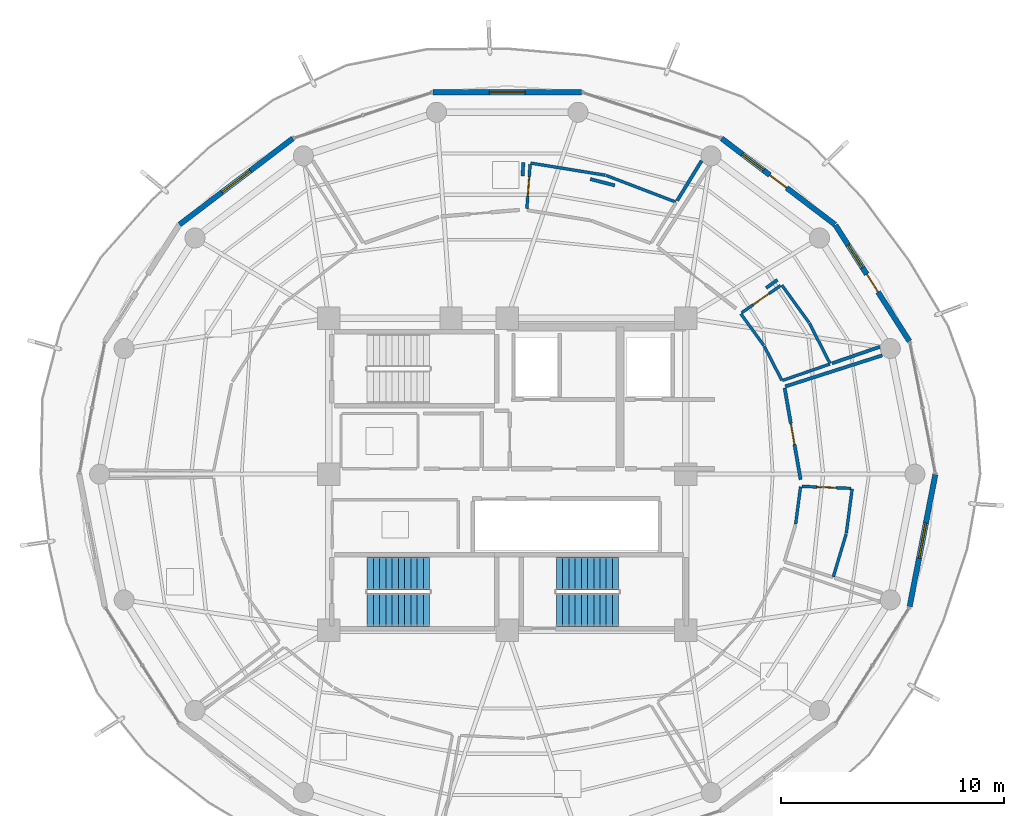
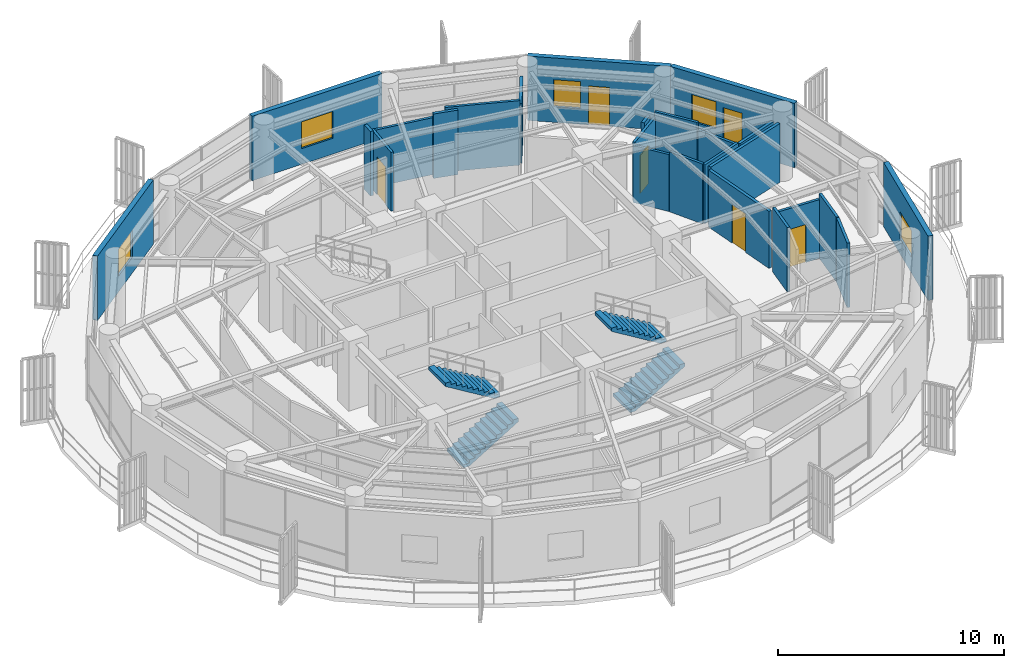
# One storey, part 17 of 22: 25 walls, 6 doors, 5 windows, 4 stair flights, 11 openings, 2 elements without a shape of their own.
"""IFC4 building model written with IfcOpenShell, lengths in metres."""

from ifc_helpers import new_model, si_unit, direction, frame, frame_2d, origin, place, context, subcontext, project, spatial, polyline, rectangle, outline, extrude, material, layer, layer_set, type_object, element, fill, aggregate, save


model = new_model("IFC4")

# Units and contexts
model_context = context("Model", 3, precision=1e-05, world=origin(), true_north=direction((0.0, 1.0)))
body_context = subcontext(model_context, "Body", "Model", "MODEL_VIEW")
ifc_project = project(units=[si_unit("LENGTHUNIT", "METRE"), si_unit("AREAUNIT", "SQUARE_METRE"), si_unit("VOLUMEUNIT", "CUBIC_METRE"), si_unit("PLANEANGLEUNIT", "RADIAN"), si_unit("MASSUNIT", "GRAM", prefix="KILO")], contexts=[model_context])

# Site, building, storey
site_placement = place(None, origin())
site = spatial("IfcSite", under=ifc_project, at=site_placement, CompositionType="ELEMENT")
building_placement = place(site_placement, origin())
building = spatial("IfcBuilding", under=site, at=building_placement, Name="Kelanora Arch Commons", CompositionType="ELEMENT")
storey_placement = place(building_placement, frame((0.0, 0.0, 263.699951171875)))
storey = spatial("IfcBuildingStorey", under=building, at=storey_placement, Name="L67", CompositionType="ELEMENT", Elevation=263.699951171875)

# Wall, opening, door
ifc_material_1 = material(Name="Autoclaved aerated concrete blockwork with fire plaster", Category="masonry")
ifc_layer_1 = layer(ifc_material_1, 0.14990234375)
ifc_layer_set_1 = layer_set([ifc_layer_1], Name="Autoclaved aerated concrete blockwork with fire plaster")
wall_type_1 = type_object("IfcWallType", Name="W-COMP-150", PredefinedType="PARTITIONING", material=ifc_layer_set_1)
wall_1_placement = place(storey_placement, frame((87.15576171875, 57.755126953125, 0.0), z_axis=(0.0, 0.0, 1.0), x_axis=(-0.171570913007, 0.985171772743, 0.0)))
wall_1 = element("IfcWall", 1, at=wall_1_placement, inside=storey, type_object=wall_type_1, Name="Co-Living Studio L67-08 Entry Partition", PredefinedType="PARTITIONING", context=body_context, shape_type="SweptSolid", body=[
    extrude(rectangle(XDim=4.170654296875, YDim=0.14990234375, at=frame_2d((2.08544921875, 0.0))), origin(), (0.0, 0.0, 1.0), 3.074951171875),
])
opening_1_placement = place(wall_1_placement, frame((1.610107421875, 0.0, 0.0)))
opening_1 = element("IfcOpeningElement", 2, at=opening_1_placement, cuts=wall_1, Name="Opening D-CLU1", PredefinedType="OPENING", context=body_context, shape_type="SweptSolid", body=[
    extrude(rectangle(XDim=0.949951171875, YDim=2.080078125, at=frame_2d((0.47509765625, 1.0400390625))), frame((0.0, 0.0849609375, 0.0), z_axis=(0.0, -1.0, 0.0), x_axis=(1.0, 0.0, 0.0)), (0.0, 0.0, 1.0), 0.169921875),
])
ifc_material_2 = material(Name="Solid-core acoustic timber cluster entry fire door", Category="wood")
door_type_1 = type_object("IfcDoorType", Name="D-CLU-95", OperationType="NOTDEFINED", PredefinedType="DOOR", material=ifc_material_2)
door_1_placement = place(opening_1_placement, origin())
door_1 = element("IfcDoor", 3, at=door_1_placement, inside=storey, type_object=door_type_1, Name="Co-Living Studio L67-08 Door", OperationType="SINGLE_SWING_LEFT", OverallHeight=2.080078125, OverallWidth=0.949951171875, PredefinedType="DOOR", context=body_context, shape_type="SweptSolid", body=[
    extrude(rectangle(XDim=0.949951171875, YDim=2.080078125, at=frame_2d((0.47509765625, 1.0400390625))), frame((0.0, 0.02490234375, 0.0), z_axis=(0.0, -1.0, 0.0), x_axis=(1.0, 0.0, 0.0)), (0.0, 0.0, 1.0), 0.050048828125),
])
fill(opening_1, door_1)

# Walls
wall_2_placement = place(storey_placement, frame((90.708984375, 63.71337890625, 0.0), z_axis=(0.0, 0.0, 1.0), x_axis=(-0.945132905081, -0.326686075207, 0.0)))
element("IfcWall", 4, at=wall_2_placement, inside=storey, type_object=wall_type_1, Name="Co-Living Studio L67-01 Enclosure Partition 5", PredefinedType="PARTITIONING", context=body_context, shape_type="SweptSolid", body=[
    extrude(rectangle(XDim=2.27197265625, YDim=0.14990234375, at=frame_2d((1.135986328125, 0.0))), origin(), (0.0, 0.0, 1.0), 3.074951171875),
])
wall_3_placement = place(storey_placement, frame((86.11279296875, 66.71435546875, 0.0), z_axis=(0.0, 0.0, 1.0), x_axis=(-0.808362057855, -0.588685640577, 0.0)))
element("IfcWall", 5, at=wall_3_placement, inside=storey, type_object=wall_type_1, Name="Co-Living Studio L67-01 Enclosure Partition 7", PredefinedType="PARTITIONING", context=body_context, shape_type="SweptSolid", body=[
    extrude(rectangle(XDim=0.621337890625, YDim=0.14990234375, at=frame_2d((0.310546875, 0.0))), origin(), (0.0, 0.0, 1.0), 3.175048828125),
])
wall_4_placement = place(storey_placement, frame((82.717041015625, 72.055908203125, 0.0), z_axis=(0.0, 0.0, 1.0), x_axis=(-0.52296822896, -0.852352175746, 0.0)))
element("IfcWall", 6, at=wall_4_placement, inside=storey, type_object=wall_type_1, Name="Co-Living Studio L67-02 Enclosure Partition 6", PredefinedType="PARTITIONING", context=body_context, shape_type="SweptSolid", body=[
    extrude(rectangle(XDim=2.099853515625, YDim=0.14990234375, at=frame_2d((1.0498046875, 0.0))), origin(), (0.0, 0.0, 1.0), 3.235107421875),
])
wall_5_placement = place(storey_placement, frame((78.8212890625, 70.950439453125, 0.0), z_axis=(0.0, 0.0, 1.0), x_axis=(-0.968144207413, 0.25039327797, 0.0)))
element("IfcWall", 7, at=wall_5_placement, inside=storey, type_object=wall_type_1, Name="Co-Living Studio L67-02 Enclosure Partition 7", PredefinedType="PARTITIONING", context=body_context, shape_type="SweptSolid", body=[
    extrude(rectangle(XDim=1.132080078125, YDim=0.14990234375, at=frame_2d((0.56591796875, 0.0))), origin(), (0.0, 0.0, 1.0), 3.47998046875),
])
wall_6_placement = place(storey_placement, frame((74.719970703125, 71.97119140625, 0.0), z_axis=(0.0, 0.0, 1.0), x_axis=(-0.050287101119, -0.998734803369, 0.0)))
element("IfcWall", 8, at=wall_6_placement, inside=storey, type_object=wall_type_1, Name="Co-Living Studio L67-02 Enclosure Partition 8", PredefinedType="PARTITIONING", context=body_context, shape_type="SweptSolid", body=[
    extrude(rectangle(XDim=0.59228515625, YDim=0.14990234375, at=frame_2d((0.296142578125, 0.0))), origin(), (0.0, 0.0, 1.0), 3.47998046875),
])
wall_7_placement = place(storey_placement, frame((86.468017578125, 61.935302734375, 0.0), z_axis=(0.0, 0.0, 1.0), x_axis=(0.95227750557, 0.305233602976, 0.0)))
element("IfcWall", 9, at=wall_7_placement, inside=storey, type_object=wall_type_1, Name="Co-Living Studio L67-08 Enclosure Partition 2", PredefinedType="PARTITIONING", context=body_context, shape_type="SweptSolid", body=[
    extrude(rectangle(XDim=4.5654296875, YDim=0.14990234375, at=frame_2d((2.28271484375, 0.0))), origin(), (0.0, 0.0, 1.0), 3.175048828125),
])

# Wall, openings, door, window
ifc_material_3 = material(Name="Precast concrete C40/50 upper-zone terracotta rainscreen", Category="masonry")
ifc_layer_2 = layer(ifc_material_3, 0.239990234375)
ifc_layer_set_2 = layer_set([ifc_layer_2], Name="Precast concrete C40/50 upper-zone terracotta rainscreen")
wall_type_2 = type_object("IfcWallType", Name="W-EXT-TC2", PredefinedType="SOLIDWALL", material=ifc_layer_set_2)
wall_8_placement = place(storey_placement, frame((92.033935546875, 63.9638671875, 0.0), z_axis=(0.0, 0.0, 1.0), x_axis=(-0.537271968456, 0.843409053728, 0.0)))
wall_8 = element("IfcWall", 10, at=wall_8_placement, inside=storey, type_object=wall_type_2, Name="Terracotta Exterior Wall L67-B01", PredefinedType="SOLIDWALL", context=body_context, shape_type="SweptSolid", body=[
    extrude(rectangle(XDim=6.175048828125, YDim=0.239990234375, at=frame_2d((3.08740234375, 0.0))), origin(), (0.0, 0.0, 1.0), 3.47509765625),
])
opening_2_placement = place(wall_8_placement, frame((2.613037109375, 0.0, 0.0)))
opening_2 = element("IfcOpeningElement", 11, at=opening_2_placement, cuts=wall_8, Name="Opening DB-01", PredefinedType="OPENING", context=body_context, shape_type="SweptSolid", body=[
    extrude(rectangle(XDim=0.949951171875, YDim=2.10009765625, at=frame_2d((0.47509765625, 1.050048828125))), frame((0.0, 0.1298828125, 0.0), z_axis=(0.0, -1.0, 0.0), x_axis=(1.0, 0.0, 0.0)), (0.0, 0.0, 1.0), 0.260009765625),
])
opening_3_placement = place(wall_8_placement, frame((3.9130859375, 0.0, 0.85009765625)))
opening_3 = element("IfcOpeningElement", 12, at=opening_3_placement, cuts=wall_8, Name="Opening WN-02", PredefinedType="OPENING", context=body_context, shape_type="SweptSolid", body=[
    extrude(rectangle(XDim=1.199951171875, YDim=1.449951171875, at=frame_2d((0.60009765625, 0.72509765625))), frame((0.0, 0.1298828125, 0.0), z_axis=(0.0, -1.0, 0.0), x_axis=(1.0, 0.0, 0.0)), (0.0, 0.0, 1.0), 0.260009765625),
])
ifc_material_4 = material(Name="Terracotta-aluminium thermally broken glazed balcony door", Category="masonry")
door_type_2 = type_object("IfcDoorType", Name="D-BAL-10", OperationType="NOTDEFINED", PredefinedType="DOOR", material=ifc_material_4)
door_2_placement = place(opening_2_placement, frame((0.949951171875, 0.0, 0.0), z_axis=(0.0, 0.0, 1.0), x_axis=(-1.0, 0.0, 0.0)))
door_2 = element("IfcDoor", 13, at=door_2_placement, inside=storey, type_object=door_type_2, Name="Wave Balcony Door L67-B01", OperationType="SINGLE_SWING_LEFT", OverallHeight=2.10009765625, OverallWidth=0.949951171875, PredefinedType="DOOR", context=body_context, shape_type="SweptSolid", body=[
    extrude(rectangle(XDim=0.949951171875, YDim=2.10009765625, at=frame_2d((0.47509765625, 1.050048828125))), frame((0.0, 0.02490234375, 0.0), z_axis=(0.0, -1.0, 0.0), x_axis=(1.0, 0.0, 0.0)), (0.0, 0.0, 1.0), 0.050048828125),
])
fill(opening_2, door_2)
ifc_material_5 = material(Name="Terracotta-anodised aluminium frame with operable awning sash", Category="masonry")
window_type_1 = type_object("IfcWindowType", Name="WIN-CL-12", PartitioningType="SINGLE_PANEL", PredefinedType="WINDOW", material=ifc_material_5)
window_1_placement = place(opening_3_placement, origin())
window_1 = element("IfcWindow", 14, at=window_1_placement, inside=storey, type_object=window_type_1, Name="Co-Living Operable Window L67-B01", OverallHeight=1.449951171875, OverallWidth=1.199951171875, PartitioningType="SINGLE_PANEL", PredefinedType="WINDOW", context=body_context, shape_type="SweptSolid", body=[
    extrude(rectangle(XDim=1.199951171875, YDim=1.449951171875, at=frame_2d((0.60009765625, 0.72509765625))), frame((0.0, 0.030029296875, 0.0), z_axis=(0.0, -1.0, 0.0), x_axis=(1.0, 0.0, 0.0)), (0.0, 0.0, 1.0), 0.06005859375),
])
fill(opening_3, window_1)

wall_9_placement = place(storey_placement, frame((88.6962890625, 69.193603515625, 0.0), z_axis=(0.0, 0.0, 1.0), x_axis=(-0.796010444211, 0.605282886514, 0.0)))
wall_9 = element("IfcWall", 15, at=wall_9_placement, inside=storey, type_object=wall_type_2, Name="Terracotta Exterior Wall L67-B02", PredefinedType="SOLIDWALL", context=body_context, shape_type="SweptSolid", body=[
    extrude(rectangle(XDim=6.387451171875, YDim=0.239990234375, at=frame_2d((3.19384765625, 0.0))), origin(), (0.0, 0.0, 1.0), 3.47509765625),
])
opening_4_placement = place(wall_9_placement, frame((2.718994140625, 0.0, 0.0)))
opening_4 = element("IfcOpeningElement", 16, at=opening_4_placement, cuts=wall_9, Name="Opening DB-01", PredefinedType="OPENING", context=body_context, shape_type="SweptSolid", body=[
    extrude(rectangle(XDim=0.949951171875, YDim=2.10009765625, at=frame_2d((0.47509765625, 1.050048828125))), frame((0.0, 0.1298828125, 0.0), z_axis=(0.0, -1.0, 0.0), x_axis=(1.0, 0.0, 0.0)), (0.0, 0.0, 1.0), 0.260009765625),
])
opening_5_placement = place(wall_9_placement, frame((4.01904296875, 0.0, 0.85009765625)))
opening_5 = element("IfcOpeningElement", 17, at=opening_5_placement, cuts=wall_9, Name="Opening WN-02", PredefinedType="OPENING", context=body_context, shape_type="SweptSolid", body=[
    extrude(rectangle(XDim=1.199951171875, YDim=1.449951171875, at=frame_2d((0.60009765625, 0.72509765625))), frame((0.0, 0.1298828125, 0.0), z_axis=(0.0, -1.0, 0.0), x_axis=(1.0, 0.0, 0.0)), (0.0, 0.0, 1.0), 0.260009765625),
])
door_3_placement = place(opening_4_placement, frame((0.949951171875, 0.0, 0.0), z_axis=(0.0, 0.0, 1.0), x_axis=(-1.0, 0.0, 0.0)))
door_3 = element("IfcDoor", 18, at=door_3_placement, inside=storey, type_object=door_type_2, Name="Wave Balcony Door L67-B02", OperationType="SINGLE_SWING_RIGHT", OverallHeight=2.10009765625, OverallWidth=0.949951171875, PredefinedType="DOOR", context=body_context, shape_type="SweptSolid", body=[
    extrude(rectangle(XDim=0.949951171875, YDim=2.10009765625, at=frame_2d((0.47509765625, 1.050048828125))), frame((0.0, 0.02490234375, 0.0), z_axis=(0.0, -1.0, 0.0), x_axis=(1.0, 0.0, 0.0)), (0.0, 0.0, 1.0), 0.050048828125),
])
fill(opening_4, door_3)
window_2_placement = place(opening_5_placement, origin())
window_2 = element("IfcWindow", 19, at=window_2_placement, inside=storey, type_object=window_type_1, Name="Co-Living Operable Window L67-B02", OverallHeight=1.449951171875, OverallWidth=1.199951171875, PartitioningType="SINGLE_PANEL", PredefinedType="WINDOW", context=body_context, shape_type="SweptSolid", body=[
    extrude(rectangle(XDim=1.199951171875, YDim=1.449951171875, at=frame_2d((0.60009765625, 0.72509765625))), frame((0.0, 0.030029296875, 0.0), z_axis=(0.0, -1.0, 0.0), x_axis=(1.0, 0.0, 0.0)), (0.0, 0.0, 1.0), 0.06005859375),
])
fill(opening_5, window_2)

# Wall, opening, window
wall_10_placement = place(storey_placement, frame((77.319091796875, 75.1357421875, 0.0), z_axis=(0.0, 0.0, 1.0), x_axis=(-1.0, 0.0, 0.0)))
wall_10 = element("IfcWall", 20, at=wall_10_placement, inside=storey, type_object=wall_type_2, Name="Terracotta Exterior Wall L67-B04", PredefinedType="SOLIDWALL", context=body_context, shape_type="SweptSolid", body=[
    extrude(rectangle(XDim=6.63818359375, YDim=0.239990234375, at=frame_2d((3.319091796875, 0.0))), origin(), (0.0, 0.0, 1.0), 3.47509765625),
])
opening_6_placement = place(wall_10_placement, frame((2.51904296875, 0.0, 0.85009765625)))
opening_6 = element("IfcOpeningElement", 21, at=opening_6_placement, cuts=wall_10, Name="Opening WN-01", PredefinedType="OPENING", context=body_context, shape_type="SweptSolid", body=[
    extrude(rectangle(XDim=1.60009765625, YDim=1.449951171875, at=frame_2d((0.800048828125, 0.72509765625))), frame((0.0, 0.1298828125, 0.0), z_axis=(0.0, -1.0, 0.0), x_axis=(1.0, 0.0, 0.0)), (0.0, 0.0, 1.0), 0.260009765625),
])
ifc_material_6 = material(Name="Terracotta-anodised aluminium frame with operable low-E glazing", Category="masonry")
window_type_2 = type_object("IfcWindowType", Name="WIN-CL-18", PartitioningType="DOUBLE_PANEL_VERTICAL", PredefinedType="WINDOW", material=ifc_material_6)
window_3_placement = place(opening_6_placement, origin())
window_3 = element("IfcWindow", 22, at=window_3_placement, inside=storey, type_object=window_type_2, Name="Co-Living Operable Window L67-B04", OverallHeight=1.449951171875, OverallWidth=1.60009765625, PartitioningType="SINGLE_PANEL", PredefinedType="WINDOW", context=body_context, shape_type="SweptSolid", body=[
    extrude(rectangle(XDim=1.60009765625, YDim=1.449951171875, at=frame_2d((0.800048828125, 0.72509765625))), frame((0.0, 0.030029296875, 0.0), z_axis=(0.0, -1.0, 0.0), x_axis=(1.0, 0.0, 0.0)), (0.0, 0.0, 1.0), 0.06005859375),
])
fill(opening_6, window_3)

wall_11_placement = place(storey_placement, frame((64.38818359375, 73.059814453125, 0.0), z_axis=(0.0, 0.0, 1.0), x_axis=(-0.796010444211, -0.605282886514, 0.0)))
wall_11 = element("IfcWall", 23, at=wall_11_placement, inside=storey, type_object=wall_type_2, Name="Terracotta Exterior Wall L67-B06", PredefinedType="SOLIDWALL", context=body_context, shape_type="SweptSolid", body=[
    extrude(rectangle(XDim=6.387451171875, YDim=0.239990234375, at=frame_2d((3.19384765625, 0.0))), origin(), (0.0, 0.0, 1.0), 3.47509765625),
])
opening_7_placement = place(wall_11_placement, frame((2.39404296875, 0.0, 0.85009765625)))
opening_7 = element("IfcOpeningElement", 24, at=opening_7_placement, cuts=wall_11, Name="Opening WN-01", PredefinedType="OPENING", context=body_context, shape_type="SweptSolid", body=[
    extrude(rectangle(XDim=1.60009765625, YDim=1.449951171875, at=frame_2d((0.800048828125, 0.72509765625))), frame((0.0, 0.1298828125, 0.0), z_axis=(0.0, -1.0, 0.0), x_axis=(1.0, 0.0, 0.0)), (0.0, 0.0, 1.0), 0.260009765625),
])
window_4_placement = place(opening_7_placement, origin())
window_4 = element("IfcWindow", 25, at=window_4_placement, inside=storey, type_object=window_type_2, Name="Co-Living Operable Window L67-B06", OverallHeight=1.449951171875, OverallWidth=1.60009765625, PartitioningType="SINGLE_PANEL", PredefinedType="WINDOW", context=body_context, shape_type="SweptSolid", body=[
    extrude(rectangle(XDim=1.60009765625, YDim=1.449951171875, at=frame_2d((0.800048828125, 0.72509765625))), frame((0.0, 0.030029296875, 0.0), z_axis=(0.0, -1.0, 0.0), x_axis=(1.0, 0.0, 0.0)), (0.0, 0.0, 1.0), 0.06005859375),
])
fill(opening_7, window_4)

wall_12_placement = place(storey_placement, frame((92.044921875, 52.0634765625, 0.0), z_axis=(0.0, 0.0, 1.0), x_axis=(0.190969309115, 0.981596008028, 0.0)))
wall_12 = element("IfcWall", 26, at=wall_12_placement, inside=storey, type_object=wall_type_2, Name="Terracotta Exterior Wall L67-B17", PredefinedType="SOLIDWALL", context=body_context, shape_type="SweptSolid", body=[
    extrude(rectangle(XDim=6.032958984375, YDim=0.239990234375, at=frame_2d((3.0166015625, 0.0))), origin(), (0.0, 0.0, 1.0), 3.47509765625),
])
opening_8_placement = place(wall_12_placement, frame((2.216064453125, 0.0, 0.85009765625)))
opening_8 = element("IfcOpeningElement", 27, at=opening_8_placement, cuts=wall_12, Name="Opening WN-01", PredefinedType="OPENING", context=body_context, shape_type="SweptSolid", body=[
    extrude(rectangle(XDim=1.60009765625, YDim=1.449951171875, at=frame_2d((0.800048828125, 0.72509765625))), frame((0.0, 0.1298828125, 0.0), z_axis=(0.0, -1.0, 0.0), x_axis=(1.0, 0.0, 0.0)), (0.0, 0.0, 1.0), 0.260009765625),
])
window_5_placement = place(opening_8_placement, origin())
window_5 = element("IfcWindow", 28, at=window_5_placement, inside=storey, type_object=window_type_2, Name="Co-Living Operable Window L67-B17", OverallHeight=1.449951171875, OverallWidth=1.60009765625, PartitioningType="SINGLE_PANEL", PredefinedType="WINDOW", context=body_context, shape_type="SweptSolid", body=[
    extrude(rectangle(XDim=1.60009765625, YDim=1.449951171875, at=frame_2d((0.800048828125, 0.72509765625))), frame((0.0, 0.030029296875, 0.0), z_axis=(0.0, -1.0, 0.0), x_axis=(1.0, 0.0, 0.0)), (0.0, 0.0, 1.0), 0.06005859375),
])
fill(opening_8, window_5)

# Wall, opening, door
ifc_material_7 = material(Name="Moisture-resistant fire-rated cement-board plumbing wall")
ifc_layer_3 = layer(ifc_material_7, 0.1298828125)
ifc_layer_set_3 = layer_set([ifc_layer_3], Name="Moisture-resistant fire-rated cement-board plumbing wall")
wall_type_3 = type_object("IfcWallType", Name="W-WET-120", PredefinedType="PLUMBINGWALL", material=ifc_layer_set_3)
wall_13_placement = place(storey_placement, frame((84.51416015625, 65.241455078125, 0.0), z_axis=(0.0, 0.0, 1.0), x_axis=(0.819922458219, 0.572474595513, 0.0)))
wall_13 = element("IfcWall", 29, at=wall_13_placement, inside=storey, type_object=wall_type_3, Name="En-Suite Shower WC L67-01 Entry Partition", PredefinedType="PLUMBINGWALL", context=body_context, shape_type="SweptSolid", body=[
    extrude(rectangle(XDim=2.124267578125, YDim=0.1298828125, at=frame_2d((1.06201171875, 0.0))), origin(), (0.0, 0.0, 1.0), 3.175048828125),
])
opening_9_placement = place(wall_13_placement, frame((0.632080078125, 0.0, 0.0)))
opening_9 = element("IfcOpeningElement", 30, at=opening_9_placement, cuts=wall_13, Name="Opening D-BT1", PredefinedType="OPENING", context=body_context, shape_type="SweptSolid", body=[
    extrude(rectangle(XDim=0.860107421875, YDim=2.050048828125, at=frame_2d((0.43017578125, 1.02490234375))), frame((0.0, 0.074951171875, 0.0), z_axis=(0.0, -1.0, 0.0), x_axis=(1.0, 0.0, 0.0)), (0.0, 0.0, 1.0), 0.14990234375),
])
ifc_material_8 = material(Name="Moisture-sealed fire-rated accessible bathroom door")
door_type_3 = type_object("IfcDoorType", Name="D-BATH-85", OperationType="NOTDEFINED", PredefinedType="DOOR", material=ifc_material_8)
door_4_placement = place(opening_9_placement, origin())
door_4 = element("IfcDoor", 31, at=door_4_placement, inside=storey, type_object=door_type_3, Name="En-Suite Shower WC L67-01 Door", OperationType="SINGLE_SWING_LEFT", OverallHeight=2.050048828125, OverallWidth=0.860107421875, PredefinedType="DOOR", context=body_context, shape_type="SweptSolid", body=[
    extrude(rectangle(XDim=0.860107421875, YDim=2.050048828125, at=frame_2d((0.43017578125, 1.02490234375))), frame((0.0, 0.02490234375, 0.0), z_axis=(0.0, -1.0, 0.0), x_axis=(1.0, 0.0, 0.0)), (0.0, 0.0, 1.0), 0.050048828125),
])
fill(opening_9, door_4)

wall_14_placement = place(storey_placement, frame((74.88037109375, 69.90380859375, 0.0), z_axis=(0.0, 0.0, 1.0), x_axis=(0.07323666047, 0.997314590068, 0.0)))
wall_14 = element("IfcWall", 32, at=wall_14_placement, inside=storey, type_object=wall_type_3, Name="En-Suite Shower WC L67-02 Entry Partition", PredefinedType="PLUMBINGWALL", context=body_context, shape_type="SweptSolid", body=[
    extrude(rectangle(XDim=1.996826171875, YDim=0.1298828125, at=frame_2d((0.99853515625, 0.0))), origin(), (0.0, 0.0, 1.0), 3.175048828125),
])
opening_10_placement = place(wall_14_placement, frame((0.568115234375, 0.0, 0.0)))
opening_10 = element("IfcOpeningElement", 33, at=opening_10_placement, cuts=wall_14, Name="Opening D-BT1", PredefinedType="OPENING", context=body_context, shape_type="SweptSolid", body=[
    extrude(rectangle(XDim=0.860107421875, YDim=2.050048828125, at=frame_2d((0.43017578125, 1.02490234375))), frame((0.0, 0.074951171875, 0.0), z_axis=(0.0, -1.0, 0.0), x_axis=(1.0, 0.0, 0.0)), (0.0, 0.0, 1.0), 0.14990234375),
])
door_5_placement = place(opening_10_placement, origin())
door_5 = element("IfcDoor", 34, at=door_5_placement, inside=storey, type_object=door_type_3, Name="En-Suite Shower WC L67-02 Door", OperationType="SINGLE_SWING_LEFT", OverallHeight=2.050048828125, OverallWidth=0.860107421875, PredefinedType="DOOR", context=body_context, shape_type="SweptSolid", body=[
    extrude(rectangle(XDim=0.860107421875, YDim=2.050048828125, at=frame_2d((0.43017578125, 1.02490234375))), frame((0.0, 0.02490234375, 0.0), z_axis=(0.0, -1.0, 0.0), x_axis=(1.0, 0.0, 0.0)), (0.0, 0.0, 1.0), 0.050048828125),
])
fill(opening_10, door_5)

wall_15_placement = place(storey_placement, frame((87.2158203125, 57.45556640625, 0.0), z_axis=(0.0, 0.0, 1.0), x_axis=(0.999139994921, -0.041464087462, 0.0)))
wall_15 = element("IfcWall", 35, at=wall_15_placement, inside=storey, type_object=wall_type_3, Name="En-Suite Shower WC L67-08 Entry Partition", PredefinedType="PLUMBINGWALL", context=body_context, shape_type="SweptSolid", body=[
    extrude(rectangle(XDim=2.1962890625, YDim=0.1298828125, at=frame_2d((1.09814453125, 0.0))), origin(), (0.0, 0.0, 1.0), 3.175048828125),
])
opening_11_placement = place(wall_15_placement, frame((0.66796875, 0.0, 0.0)))
opening_11 = element("IfcOpeningElement", 36, at=opening_11_placement, cuts=wall_15, Name="Opening D-BT1", PredefinedType="OPENING", context=body_context, shape_type="SweptSolid", body=[
    extrude(rectangle(XDim=0.860107421875, YDim=2.050048828125, at=frame_2d((0.43017578125, 1.02490234375))), frame((0.0, 0.074951171875, 0.0), z_axis=(0.0, -1.0, 0.0), x_axis=(1.0, 0.0, 0.0)), (0.0, 0.0, 1.0), 0.14990234375),
])
door_6_placement = place(opening_11_placement, origin())
door_6 = element("IfcDoor", 37, at=door_6_placement, inside=storey, type_object=door_type_3, Name="En-Suite Shower WC L67-08 Door", OperationType="SINGLE_SWING_RIGHT", OverallHeight=2.050048828125, OverallWidth=0.860107421875, PredefinedType="DOOR", context=body_context, shape_type="SweptSolid", body=[
    extrude(rectangle(XDim=0.860107421875, YDim=2.050048828125, at=frame_2d((0.43017578125, 1.02490234375))), frame((0.0, 0.02490234375, 0.0), z_axis=(0.0, -1.0, 0.0), x_axis=(1.0, 0.0, 0.0)), (0.0, 0.0, 1.0), 0.050048828125),
])
fill(opening_11, door_6)

# Walls
wall_16_placement = place(storey_placement, frame((86.310791015625, 62.2138671875, 0.0), z_axis=(0.0, 0.0, 1.0), x_axis=(-0.457623641393, 0.889145996357, 0.0)))
element("IfcWall", 38, at=wall_16_placement, inside=storey, type_object=wall_type_3, Name="En-Suite Shower WC L67-01 Enclosure Partition 1", PredefinedType="PLUMBINGWALL", context=body_context, shape_type="SweptSolid", body=[
    extrude(rectangle(XDim=1.720947265625, YDim=0.1298828125, at=frame_2d((0.8603515625, 0.0))), origin(), (0.0, 0.0, 1.0), 3.235107421875),
])
wall_17_placement = place(storey_placement, frame((85.502197265625, 63.7783203125, 0.0), z_axis=(0.0, 0.0, 1.0), x_axis=(-0.587439614451, 0.809268002193, 0.0)))
element("IfcWall", 39, at=wall_17_placement, inside=storey, type_object=wall_type_3, Name="En-Suite Shower WC L67-01 Enclosure Partition 2", PredefinedType="PLUMBINGWALL", context=body_context, shape_type="SweptSolid", body=[
    extrude(rectangle(XDim=1.74560546875, YDim=0.1298828125, at=frame_2d((0.872802734375, 0.0))), origin(), (0.0, 0.0, 1.0), 3.074951171875),
])
wall_18_placement = place(storey_placement, frame((86.316650390625, 66.475830078125, 0.0), z_axis=(0.0, 0.0, 1.0), x_axis=(0.587023823839, -0.809569657438, 0.0)))
element("IfcWall", 40, at=wall_18_placement, inside=storey, type_object=wall_type_3, Name="En-Suite Shower WC L67-01 Enclosure Partition 4", PredefinedType="PLUMBINGWALL", context=body_context, shape_type="SweptSolid", body=[
    extrude(rectangle(XDim=2.0625, YDim=0.1298828125, at=frame_2d((1.03125, 0.0))), origin(), (0.0, 0.0, 1.0), 3.47998046875),
])
wall_19_placement = place(storey_placement, frame((87.548095703125, 64.772216796875, 0.0), z_axis=(0.0, 0.0, 1.0), x_axis=(0.456453063126, -0.889747492923, 0.0)))
element("IfcWall", 41, at=wall_19_placement, inside=storey, type_object=wall_type_3, Name="En-Suite Shower WC L67-01 Enclosure Partition 5", PredefinedType="PLUMBINGWALL", context=body_context, shape_type="SweptSolid", body=[
    extrude(rectangle(XDim=2.03466796875, YDim=0.1298828125, at=frame_2d((1.017333984375, 0.0))), origin(), (0.0, 0.0, 1.0), 3.074951171875),
])
wall_20_placement = place(storey_placement, frame((88.467041015625, 62.9375, 0.0), z_axis=(0.0, 0.0, 1.0), x_axis=(-0.94520115701, -0.326488549244, 0.0)))
element("IfcWall", 42, at=wall_20_placement, inside=storey, type_object=wall_type_3, Name="En-Suite Shower WC L67-01 Enclosure Partition 6", PredefinedType="PLUMBINGWALL", context=body_context, shape_type="SweptSolid", body=[
    extrude(rectangle(XDim=2.25146484375, YDim=0.1298828125, at=frame_2d((1.125732421875, 0.0))), origin(), (0.0, 0.0, 1.0), 3.175048828125),
])
wall_21_placement = place(storey_placement, frame((75.05078125, 71.951904296875, 0.0), z_axis=(0.0, 0.0, 1.0), x_axis=(0.98707312965, -0.160270511081, 0.0)))
element("IfcWall", 43, at=wall_21_placement, inside=storey, type_object=wall_type_3, Name="En-Suite Shower WC L67-02 Enclosure Partition 4", PredefinedType="PLUMBINGWALL", context=body_context, shape_type="SweptSolid", body=[
    extrude(rectangle(XDim=3.38623046875, YDim=0.1298828125, at=frame_2d((1.693115234375, 0.0))), origin(), (0.0, 0.0, 1.0), 3.074951171875),
])
wall_22_placement = place(storey_placement, frame((78.431640625, 71.39892578125, 0.0), z_axis=(0.0, 0.0, 1.0), x_axis=(0.934194091529, -0.356765187978, 0.0)))
element("IfcWall", 44, at=wall_22_placement, inside=storey, type_object=wall_type_3, Name="En-Suite Shower WC L67-02 Enclosure Partition 5", PredefinedType="PLUMBINGWALL", context=body_context, shape_type="SweptSolid", body=[
    extrude(rectangle(XDim=3.34912109375, YDim=0.1298828125, at=frame_2d((1.674560546875, 0.0))), origin(), (0.0, 0.0, 1.0), 3.47998046875),
])
wall_23_placement = place(storey_placement, frame((86.9326171875, 55.763916015625, 0.0), z_axis=(0.0, 0.0, 1.0), x_axis=(0.130686363399, 0.991423761275, 0.0)))
element("IfcWall", 45, at=wall_23_placement, inside=storey, type_object=wall_type_3, Name="En-Suite Shower WC L67-08 Enclosure Partition 2", PredefinedType="PLUMBINGWALL", context=body_context, shape_type="SweptSolid", body=[
    extrude(rectangle(XDim=1.688720703125, YDim=0.1298828125, at=frame_2d((0.84423828125, 0.0))), origin(), (0.0, 0.0, 1.0), 3.47998046875),
])
wall_24_placement = place(storey_placement, frame((89.46728515625, 57.34228515625, 0.0), z_axis=(0.0, 0.0, 1.0), x_axis=(-0.130467152696, -0.991452632286, 0.0)))
element("IfcWall", 46, at=wall_24_placement, inside=storey, type_object=wall_type_3, Name="En-Suite Shower WC L67-08 Enclosure Partition 4", PredefinedType="PLUMBINGWALL", context=body_context, shape_type="SweptSolid", body=[
    extrude(rectangle(XDim=1.99853515625, YDim=0.1298828125, at=frame_2d((0.999267578125, 0.0))), origin(), (0.0, 0.0, 1.0), 3.47998046875),
])
wall_25_placement = place(storey_placement, frame((89.1982421875, 55.32177734375, 0.0), z_axis=(0.0, 0.0, 1.0), x_axis=(-0.286890981069, -0.957963237803, 0.0)))
element("IfcWall", 47, at=wall_25_placement, inside=storey, type_object=wall_type_3, Name="En-Suite Shower WC L67-08 Enclosure Partition 5", PredefinedType="PLUMBINGWALL", context=body_context, shape_type="SweptSolid", body=[
    extrude(rectangle(XDim=2.010009765625, YDim=0.1298828125, at=frame_2d((1.0048828125, 0.0))), origin(), (0.0, 0.0, 1.0), 3.47998046875),
])

# Stair, stair flights
ifc_material_9 = material(Name="Concrete C40/50", Category="concrete")
stair_type = type_object("IfcStairType", Name="STR-DL-375", PredefinedType="HALF_TURN_STAIR", material=ifc_material_9)
stair_1_placement = place(storey_placement, origin())
stair_1 = element("IfcStair", 48, at=stair_1_placement, inside=storey, type_object=stair_type, Name="L67 ST-T2", PredefinedType="HALF_TURN_STAIR")
stair_flight_type = type_object("IfcStairFlightType", Name="FLT-DL-375", PredefinedType="STRAIGHT", material=ifc_material_9)
stair_flight_1_placement = place(storey_placement, frame((76.199951171875, 51.919921875, 0.0), z_axis=(0.0, 0.0, 1.0), x_axis=(1.0, 0.0, 0.0)))
stair_flight_1 = element("IfcStairFlight", 49, at=stair_flight_1_placement, type_object=stair_flight_type, Name="ST-T2 flight 1", NumberOfRisers=11, NumberOfTreads=10, PredefinedType="STRAIGHT", RiserHeight=0.170454545, TreadLength=0.28, context=body_context, shape_type="SweptSolid", body=[
    extrude(outline(polyline([(0.0, 0.0), (0.0, 0.17041015625), (0.280029296875, 0.17041015625), (0.280029296875, 0.3408203125), (0.56005859375, 0.3408203125), (0.56005859375, 0.511474609375), (0.840087890625, 0.511474609375), (0.840087890625, 0.681884765625), (1.1201171875, 0.681884765625), (1.1201171875, 0.852294921875), (1.39990234375, 0.852294921875), (1.39990234375, 1.022705078125), (1.679931640625, 1.022705078125), (1.679931640625, 1.193115234375), (1.9599609375, 1.193115234375), (1.9599609375, 1.363525390625), (2.239990234375, 1.363525390625), (2.239990234375, 1.5341796875), (2.52001953125, 1.5341796875), (2.52001953125, 1.70458984375), (2.800048828125, 1.70458984375), (2.800048828125, 1.875), (2.800048828125, 1.529052734375), (0.288330078125, 0.0), (0.0, 0.0)])), frame((0.0, 0.739990234375, 0.0), z_axis=(0.0, -1.0, 0.0), x_axis=(1.0, 0.0, 0.0)), (0.0, 0.0, 1.0), 1.47998046875),
])
stair_flight_2_placement = place(storey_placement, frame((79.0, 53.550048828125, 1.875), z_axis=(0.0, 0.0, 1.0), x_axis=(-1.0, 0.0, 0.0)))
stair_flight_2 = element("IfcStairFlight", 50, at=stair_flight_2_placement, type_object=stair_flight_type, Name="ST-T2 flight 2", NumberOfRisers=11, NumberOfTreads=10, PredefinedType="STRAIGHT", RiserHeight=0.170454545, TreadLength=0.28, context=body_context, shape_type="SweptSolid", body=[
    extrude(outline(polyline([(0.0, 0.0), (0.0, 0.17041015625), (0.280029296875, 0.17041015625), (0.280029296875, 0.3408203125), (0.56005859375, 0.3408203125), (0.56005859375, 0.511474609375), (0.840087890625, 0.511474609375), (0.840087890625, 0.681884765625), (1.1201171875, 0.681884765625), (1.1201171875, 0.852294921875), (1.39990234375, 0.852294921875), (1.39990234375, 1.022705078125), (1.679931640625, 1.022705078125), (1.679931640625, 1.193115234375), (1.9599609375, 1.193115234375), (1.9599609375, 1.363525390625), (2.239990234375, 1.363525390625), (2.239990234375, 1.5341796875), (2.52001953125, 1.5341796875), (2.52001953125, 1.70458984375), (2.800048828125, 1.70458984375), (2.800048828125, 1.875), (2.800048828125, 1.529052734375), (0.288330078125, 0.0), (0.0, 0.0)])), frame((0.0, 0.739990234375, 0.0), z_axis=(0.0, -1.0, 0.0), x_axis=(1.0, 0.0, 0.0)), (0.0, 0.0, 1.0), 1.47998046875),
])
aggregate(stair_1, [stair_flight_1, stair_flight_2])

stair_2_placement = place(storey_placement, origin())
stair_2 = element("IfcStair", 51, at=stair_2_placement, inside=storey, type_object=stair_type, Name="L67 ST-T3", PredefinedType="HALF_TURN_STAIR")
stair_flight_3_placement = place(storey_placement, frame((67.719970703125, 51.919921875, 0.0), z_axis=(0.0, 0.0, 1.0), x_axis=(1.0, 0.0, 0.0)))
stair_flight_3 = element("IfcStairFlight", 52, at=stair_flight_3_placement, type_object=stair_flight_type, Name="ST-T3 flight 1", NumberOfRisers=11, NumberOfTreads=10, PredefinedType="STRAIGHT", RiserHeight=0.170454545, TreadLength=0.28, context=body_context, shape_type="SweptSolid", body=[
    extrude(outline(polyline([(0.0, 0.0), (0.0, 0.17041015625), (0.280029296875, 0.17041015625), (0.280029296875, 0.3408203125), (0.56005859375, 0.3408203125), (0.56005859375, 0.511474609375), (0.840087890625, 0.511474609375), (0.840087890625, 0.681884765625), (1.1201171875, 0.681884765625), (1.1201171875, 0.852294921875), (1.39990234375, 0.852294921875), (1.39990234375, 1.022705078125), (1.679931640625, 1.022705078125), (1.679931640625, 1.193115234375), (1.9599609375, 1.193115234375), (1.9599609375, 1.363525390625), (2.239990234375, 1.363525390625), (2.239990234375, 1.5341796875), (2.52001953125, 1.5341796875), (2.52001953125, 1.70458984375), (2.800048828125, 1.70458984375), (2.800048828125, 1.875), (2.800048828125, 1.529052734375), (0.288330078125, 0.0), (0.0, 0.0)])), frame((0.0, 0.739990234375, 0.0), z_axis=(0.0, -1.0, 0.0), x_axis=(1.0, 0.0, 0.0)), (0.0, 0.0, 1.0), 1.47998046875),
])
stair_flight_4_placement = place(storey_placement, frame((70.52001953125, 53.550048828125, 1.875), z_axis=(0.0, 0.0, 1.0), x_axis=(-1.0, 0.0, 0.0)))
stair_flight_4 = element("IfcStairFlight", 53, at=stair_flight_4_placement, type_object=stair_flight_type, Name="ST-T3 flight 2", NumberOfRisers=11, NumberOfTreads=10, PredefinedType="STRAIGHT", RiserHeight=0.170454545, TreadLength=0.28, context=body_context, shape_type="SweptSolid", body=[
    extrude(outline(polyline([(0.0, 0.0), (0.0, 0.17041015625), (0.280029296875, 0.17041015625), (0.280029296875, 0.3408203125), (0.56005859375, 0.3408203125), (0.56005859375, 0.511474609375), (0.840087890625, 0.511474609375), (0.840087890625, 0.681884765625), (1.1201171875, 0.681884765625), (1.1201171875, 0.852294921875), (1.39990234375, 0.852294921875), (1.39990234375, 1.022705078125), (1.679931640625, 1.022705078125), (1.679931640625, 1.193115234375), (1.9599609375, 1.193115234375), (1.9599609375, 1.363525390625), (2.239990234375, 1.363525390625), (2.239990234375, 1.5341796875), (2.52001953125, 1.5341796875), (2.52001953125, 1.70458984375), (2.800048828125, 1.70458984375), (2.800048828125, 1.875), (2.800048828125, 1.529052734375), (0.288330078125, 0.0), (0.0, 0.0)])), frame((0.0, 0.739990234375, 0.0), z_axis=(0.0, -1.0, 0.0), x_axis=(1.0, 0.0, 0.0)), (0.0, 0.0, 1.0), 1.47998046875),
])
aggregate(stair_2, [stair_flight_3, stair_flight_4])

save(model, "model.ifc")
